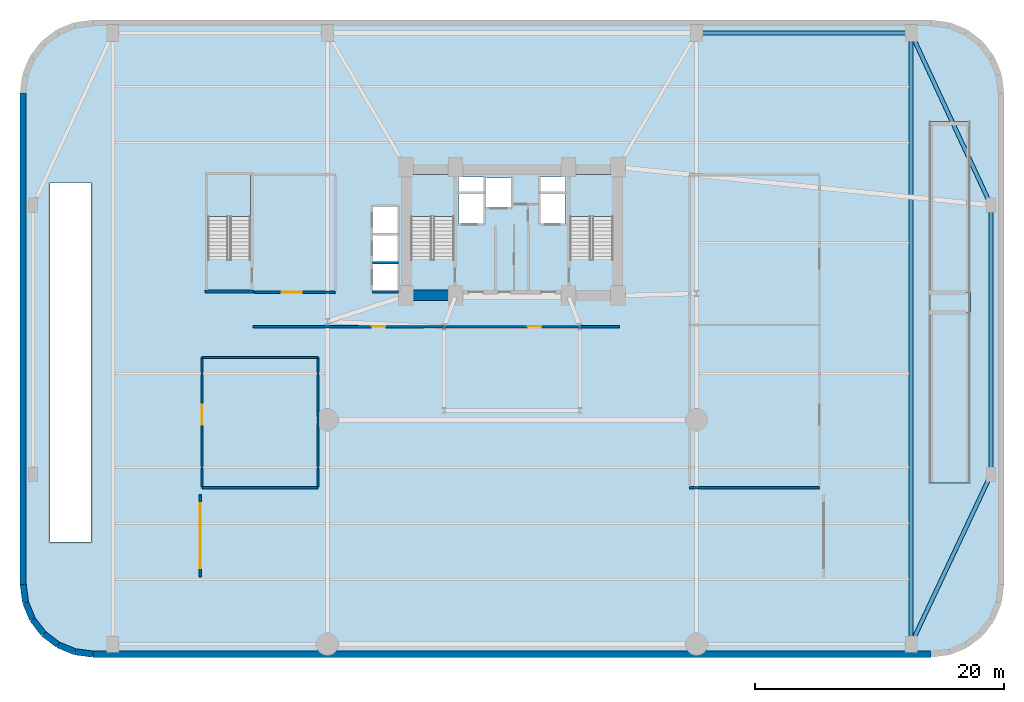
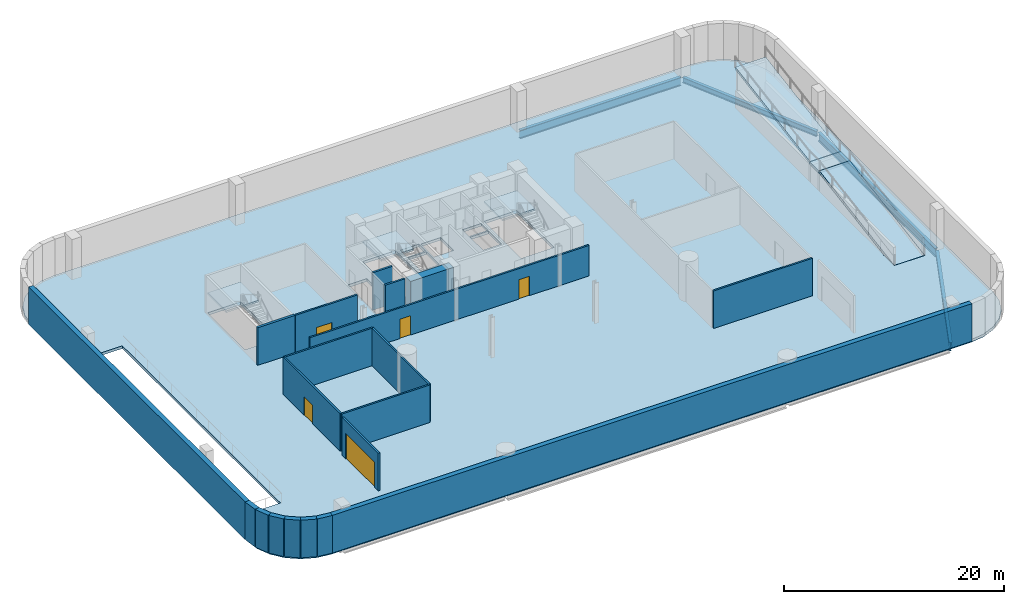
# One storey, part 2 of 8: 20 walls, 7 slabs, 5 beams, 5 doors, 5 openings, 3 elements without a shape of their own.
"""IFC4 building model written with IfcOpenShell, lengths in metres."""

from ifc_helpers import new_model, si_unit, direction, frame, frame_2d, origin, origin_2d, place, context, subcontext, project, spatial, polyline, rectangle, i_section, outline, extrude, material, layer, layer_set, material_profile, profile_set, type_object, element, fill, aggregate, save


model = new_model("IFC4")

# Units and contexts
model_context = context("Model", 3, precision=1e-05, world=origin(), true_north=direction((0.0, 1.0)))
body_context = subcontext(model_context, "Body", "Model", "MODEL_VIEW")
ifc_project = project(units=[si_unit("LENGTHUNIT", "METRE"), si_unit("AREAUNIT", "SQUARE_METRE"), si_unit("VOLUMEUNIT", "CUBIC_METRE"), si_unit("PLANEANGLEUNIT", "RADIAN"), si_unit("MASSUNIT", "GRAM", prefix="KILO")], contexts=[model_context])

# Site, building, storey
site_placement = place(None, origin())
site = spatial("IfcSite", under=ifc_project, at=site_placement, CompositionType="ELEMENT")
building_placement = place(site_placement, origin())
building = spatial("IfcBuilding", under=site, at=building_placement, Name="Varnelok Gate Tower", CompositionType="ELEMENT")
storey_placement = place(building_placement, frame((0.0, 0.0, -4.5)))
storey = spatial("IfcBuildingStorey", under=building, at=storey_placement, Name="B01", CompositionType="ELEMENT", Elevation=-4.5)

# Beams
ifc_material_1 = material(Name="Structural Steel ASTM A992 Grade 50", Category="steel")
ifc_material_profile_1 = material_profile(ifc_material_1, i_section(OverallWidth=0.30810546875, OverallDepth=0.943115234375, WebThickness=0.022216796875, FlangeThickness=0.039794921875, FilletRadius=0.02587890625, at=origin_2d()), Name="W36X232")
ifc_profile_set_1 = profile_set([ifc_material_profile_1], Name="Structural Steel ASTM A992 Grade 50")
beam_type_1 = type_object("IfcBeamType", Name="BM-PRI-W36X232", PredefinedType="BEAM", material=ifc_profile_set_1)
beam_1_placement = place(storey_placement, frame((54.139892578125, 49.800048828125, -0.771484375), z_axis=(1.0, 0.0, 0.0), x_axis=(0.0, 1.0, 0.0)))
element("IfcBeam", 1, at=beam_1_placement, inside=storey, type_object=beam_type_1, Name="B01 Podium Primary Girder 5", PredefinedType="BEAM", context=body_context, shape_type="SweptSolid", body=[
    extrude(i_section(OverallWidth=0.30810546875, OverallDepth=0.943115234375, WebThickness=0.022216796875, FlangeThickness=0.039794921875, FilletRadius=0.02587890625, at=origin_2d()), origin(), (0.0, 0.0, 1.0), 16.920166015625),
])
beam_2_placement = place(storey_placement, frame((77.60009765625, 14.5400390625, -0.771484375), z_axis=(0.0, 1.0, 0.0), x_axis=(-1.0, 0.0, 0.0)))
element("IfcBeam", 2, at=beam_2_placement, inside=storey, type_object=beam_type_1, Name="B01 Podium Primary Girder 7", PredefinedType="BEAM", context=body_context, shape_type="SweptSolid", body=[
    extrude(i_section(OverallWidth=0.30810546875, OverallDepth=0.943115234375, WebThickness=0.022216796875, FlangeThickness=0.039794921875, FilletRadius=0.02587890625, at=origin_2d()), origin(), (0.0, 0.0, 1.0), 21.320068359375),
])
beam_3_placement = place(storey_placement, frame((71.199951171875, 0.93994140625, -0.771484375), z_axis=(0.0, 1.0, 0.0), x_axis=(-1.0, 0.0, 0.0)))
element("IfcBeam", 3, at=beam_3_placement, inside=storey, type_object=beam_type_1, Name="B01 Podium Primary Girder 15", PredefinedType="BEAM", context=body_context, shape_type="SweptSolid", body=[
    extrude(i_section(OverallWidth=0.30810546875, OverallDepth=0.943115234375, WebThickness=0.022216796875, FlangeThickness=0.039794921875, FilletRadius=0.02587890625, at=origin_2d()), origin(), (0.0, 0.0, 1.0), 48.719970703125),
])
ifc_material_profile_2 = material_profile(ifc_material_1, i_section(OverallWidth=0.323974609375, OverallDepth=0.611083984375, WebThickness=0.0126953125, FlangeThickness=0.01904296875, FilletRadius=0.01806640625, at=origin_2d()), Name="W24X104")
ifc_profile_set_2 = profile_set([ifc_material_profile_2], Name="Structural Steel ASTM A992 Grade 50")
beam_type_2 = type_object("IfcBeamType", Name="BM-SPN-W24X104", PredefinedType="SPANDREL", material=ifc_profile_set_2)
beam_4_placement = place(storey_placement, frame((71.259521484375, 0.9267578125, -0.60546875), z_axis=(0.425801818887, 0.90481645157, 0.0), x_axis=(-0.90481645157, 0.425801818887, 0.0)))
element("IfcBeam", 4, at=beam_4_placement, inside=storey, type_object=beam_type_2, Name="B01 Podium Primary Girder 10", PredefinedType="SPANDREL", context=body_context, shape_type="SweptSolid", body=[
    extrude(i_section(OverallWidth=0.323974609375, OverallDepth=0.611083984375, WebThickness=0.0126953125, FlangeThickness=0.01904296875, FilletRadius=0.01806640625, at=origin_2d()), origin(), (0.0, 0.0, 1.0), 14.75048828125),
])
beam_5_placement = place(storey_placement, frame((77.541015625, 36.126953125, -0.60546875), z_axis=(-0.420722638096, 0.907189319709, 0.0), x_axis=(-0.907189319709, -0.420722638096, 0.0)))
element("IfcBeam", 5, at=beam_5_placement, inside=storey, type_object=beam_type_2, Name="B01 Podium Primary Girder 11", PredefinedType="SPANDREL", context=body_context, shape_type="SweptSolid", body=[
    extrude(i_section(OverallWidth=0.323974609375, OverallDepth=0.611083984375, WebThickness=0.0126953125, FlangeThickness=0.01904296875, FilletRadius=0.01806640625, at=origin_2d()), origin(), (0.0, 0.0, 1.0), 14.931884765625),
])

# Slab
ifc_material_2 = material(Name="Concrete C50/60", Category="concrete")
ifc_layer_1 = layer(ifc_material_2, 0.300048828125)
ifc_layer_set_1 = layer_set([ifc_layer_1], Name="Concrete C50/60")
slab_type_1 = type_object("IfcSlabType", Name="SLB-FLR-300", PredefinedType="FLOOR", material=ifc_layer_set_1)
slab_1_placement = place(storey_placement, frame((0.0, 0.0, -0.300048828125)))
element("IfcSlab", 6, at=slab_1_placement, inside=storey, type_object=slab_type_1, Name="B01 Structural Floor Slab", PredefinedType="FLOOR", context=body_context, shape_type="SweptSolid", body=[
    extrude(outline(polyline([(0.0, 5.60009765625), (0.19091796875, 4.150634765625), (0.750244140625, 2.800048828125), (1.64013671875, 1.64013671875), (2.800048828125, 0.750244140625), (4.150634765625, 0.19091796875), (5.60009765625, 0.0), (72.800048828125, 0.0), (74.24951171875, 0.19091796875), (75.60009765625, 0.750244140625), (76.759765625, 1.64013671875), (77.649658203125, 2.800048828125), (78.209228515625, 4.150634765625), (78.39990234375, 5.60009765625), (78.39990234375, 45.0), (78.209228515625, 46.449462890625), (77.649658203125, 47.800048828125), (76.759765625, 48.959716796875), (75.60009765625, 49.849609375), (74.24951171875, 50.4091796875), (72.800048828125, 50.60009765625), (5.60009765625, 50.60009765625), (4.150634765625, 50.4091796875), (2.800048828125, 49.849609375), (1.64013671875, 48.959716796875), (0.750244140625, 47.800048828125), (0.19091796875, 46.449462890625), (0.0, 45.0), (0.0, 5.60009765625)]), holes=[polyline([(34.550048828125, 31.679931640625), (34.550048828125, 38.449951171875), (31.10009765625, 38.449951171875), (31.10009765625, 31.679931640625), (34.550048828125, 31.679931640625)]), polyline([(47.300048828125, 31.679931640625), (47.300048828125, 38.449951171875), (43.85009765625, 38.449951171875), (43.85009765625, 31.679931640625), (47.300048828125, 31.679931640625)]), polyline([(18.25, 31.679931640625), (18.25, 38.449951171875), (14.800048828125, 38.449951171875), (14.800048828125, 31.679931640625), (18.25, 31.679931640625)]), polyline([(34.949951171875, 34.550048828125), (36.89990234375, 34.550048828125), (36.89990234375, 36.89990234375), (34.949951171875, 36.89990234375), (34.949951171875, 34.550048828125)]), polyline([(41.5, 34.550048828125), (43.449951171875, 34.550048828125), (43.449951171875, 36.89990234375), (41.5, 36.89990234375), (41.5, 34.550048828125)]), polyline([(37.050048828125, 35.85009765625), (39.14990234375, 35.85009765625), (39.14990234375, 38.199951171875), (37.050048828125, 38.199951171875), (37.050048828125, 35.85009765625)]), polyline([(28.050048828125, 29.14990234375), (30.050048828125, 29.14990234375), (30.050048828125, 35.89990234375), (28.050048828125, 35.89990234375), (28.050048828125, 29.14990234375)]), polyline([(34.919921875, 37.080078125), (36.89990234375, 37.080078125), (36.89990234375, 38.280029296875), (34.919921875, 38.280029296875), (34.919921875, 37.080078125)]), polyline([(41.5, 37.080078125), (43.47998046875, 37.080078125), (43.47998046875, 38.280029296875), (41.5, 38.280029296875), (41.5, 37.080078125)]), polyline([(2.14990234375, 9.0), (5.449951171875, 9.0), (5.449951171875, 37.800048828125), (2.14990234375, 37.800048828125), (2.14990234375, 9.0)]), polyline([(72.679931640625, 13.699951171875), (75.919921875, 13.699951171875), (75.919921875, 15.60009765625), (72.679931640625, 15.60009765625), (72.679931640625, 13.699951171875)])]), origin(), (0.0, 0.0, 1.0), 0.300048828125),
])

# Stair, slab
stair_type = type_object("IfcStairType", Name="STR-CORE-1650", PredefinedType="HALF_TURN_STAIR", material=ifc_material_2)
stair_1_placement = place(storey_placement, origin())
stair_1 = element("IfcStair", 7, at=stair_1_placement, inside=storey, type_object=stair_type, Name="B01 Exit Stair ST-1", PredefinedType="HALF_TURN_STAIR")
ifc_material_3 = material(Name="Concrete C45/55", Category="concrete")
ifc_layer_2 = layer(ifc_material_3, 0.199951171875)
ifc_layer_set_2 = layer_set([ifc_layer_2], Name="Concrete C45/55")
slab_type_2 = type_object("IfcSlabType", Name="SLB-LAND-200", PredefinedType="LANDING", material=ifc_layer_set_2)
slab_2_placement = place(storey_placement, frame((0.0, 0.0, 2.050048828125)))
slab_2 = element("IfcSlab", 8, at=slab_2_placement, type_object=slab_type_2, Name="ST-1 landing 1", PredefinedType="LANDING", context=body_context, shape_type="SweptSolid", body=[
    extrude(outline(polyline([(34.550048828125, 35.080078125), (34.550048828125, 38.449951171875), (31.10009765625, 38.449951171875), (31.10009765625, 35.080078125), (34.550048828125, 35.080078125)])), origin(), (0.0, 0.0, 1.0), 0.199951171875),
])
aggregate(stair_1, [slab_2])

stair_2_placement = place(storey_placement, origin())
stair_2 = element("IfcStair", 9, at=stair_2_placement, inside=storey, type_object=stair_type, Name="B01 Exit Stair ST-2", PredefinedType="HALF_TURN_STAIR")
slab_3_placement = place(storey_placement, frame((0.0, 0.0, 2.050048828125)))
slab_3 = element("IfcSlab", 10, at=slab_3_placement, type_object=slab_type_2, Name="ST-2 landing 1", PredefinedType="LANDING", context=body_context, shape_type="SweptSolid", body=[
    extrude(outline(polyline([(47.300048828125, 35.080078125), (47.300048828125, 38.449951171875), (43.85009765625, 38.449951171875), (43.85009765625, 35.080078125), (47.300048828125, 35.080078125)])), origin(), (0.0, 0.0, 1.0), 0.199951171875),
])
aggregate(stair_2, [slab_3])

stair_3_placement = place(storey_placement, origin())
stair_3 = element("IfcStair", 11, at=stair_3_placement, inside=storey, type_object=stair_type, Name="B01 Podium Exit Stair ST-3", PredefinedType="HALF_TURN_STAIR")
slab_4_placement = place(storey_placement, frame((0.0, 0.0, 2.050048828125)))
slab_4 = element("IfcSlab", 12, at=slab_4_placement, type_object=slab_type_2, Name="ST-3 landing 1", PredefinedType="LANDING", context=body_context, shape_type="SweptSolid", body=[
    extrude(outline(polyline([(18.25, 35.080078125), (18.25, 38.449951171875), (14.800048828125, 38.449951171875), (14.800048828125, 35.080078125), (18.25, 35.080078125)])), origin(), (0.0, 0.0, 1.0), 0.199951171875),
])
aggregate(stair_3, [slab_4])

# Slabs
ifc_layer_3 = layer(ifc_material_2, 0.300048828125)
ifc_layer_set_3 = layer_set([ifc_layer_3], Name="Concrete C50/60")
slab_type_3 = type_object("IfcSlabType", Name="SLB-VRAMP-300", PredefinedType="LANDING", material=ifc_layer_set_3)
slab_5_placement = place(storey_placement, frame((72.699951171875, 13.719970703125, 0.0), z_axis=(0.0, -0.162871298595, 0.986647323056), x_axis=(1.0, 0.0, 0.0)))
element("IfcSlab", 13, at=slab_5_placement, inside=storey, type_object=slab_type_3, Name="Car Park Vehicle Ramp VR-2 Lower Slab", PredefinedType="LANDING", context=body_context, shape_type="SweptSolid", body=[
    extrude(outline(polyline([(0.0, 0.0), (3.199951171875, 0.0), (3.199951171875, 13.814588693055779), (0.0, 13.814588693055779), (0.0, 0.0)])), origin(), (0.0, 0.0, -1.0), 0.300048828125),
])
slab_6_placement = place(storey_placement, frame((0.0, 0.0, 1.949951171875)))
element("IfcSlab", 14, at=slab_6_placement, inside=storey, type_object=slab_type_3, Name="Car Park Vehicle Ramp VR-2 Mid-Landing Slab", PredefinedType="LANDING", context=body_context, shape_type="SweptSolid", body=[
    extrude(outline(polyline([(72.64990234375, 27.3798828125), (75.949951171875, 27.3798828125), (75.949951171875, 29.02001953125), (72.64990234375, 29.02001953125), (72.64990234375, 27.3798828125)])), origin(), (0.0, 0.0, 1.0), 0.300048828125),
])
slab_7_placement = place(storey_placement, frame((72.699951171875, 29.050048828125, 2.25), z_axis=(0.0, -0.162874138581, 0.98664685424), x_axis=(1.0, 0.0, 0.0)))
element("IfcSlab", 15, at=slab_7_placement, inside=storey, type_object=slab_type_3, Name="Car Park Vehicle Ramp VR-2 Upper Slab", PredefinedType="LANDING", context=body_context, shape_type="SweptSolid", body=[
    extrude(outline(polyline([(0.0, 0.0), (3.199951171875, 0.0), (3.199951171875, 13.814347812418902), (0.0, 13.814347812418902), (0.0, 0.0)])), origin(), (0.0, 0.0, -1.0), 0.300048828125),
])

# Wall, openings, doors
ifc_material_4 = material(Name="Gypsum Plasterboard Acoustic Partition", Category="gypsum")
ifc_layer_4 = layer(ifc_material_4, 0.179931640625)
ifc_layer_set_4 = layer_set([ifc_layer_4], Name="Gypsum Plasterboard Acoustic Partition")
wall_type_1 = type_object("IfcWallType", Name="PW-CORR-180", PredefinedType="PARTITIONING", material=ifc_layer_set_4)
wall_1_placement = place(storey_placement, frame((18.449951171875, 26.260009765625, 0.0), z_axis=(0.0, 0.0, 1.0), x_axis=(1.0, 0.0, 0.0)))
wall_1 = element("IfcWall", 16, at=wall_1_placement, inside=storey, type_object=wall_type_1, Name="B01 Core Vestibule Wall", PredefinedType="PARTITIONING", context=body_context, shape_type="SweptSolid", body=[
    extrude(rectangle(XDim=29.35009765625, YDim=0.179931640625, at=frame_2d((14.675048828125, 0.0))), origin(), (0.0, 0.0, 1.0), 3.39208984375),
])
opening_1_placement = place(wall_1_placement, frame((9.5, 0.0, 0.0)))
opening_1 = element("IfcOpeningElement", 17, at=opening_1_placement, cuts=wall_1, Name="Opening D-FF", PredefinedType="OPENING", context=body_context, shape_type="SweptSolid", body=[
    extrude(rectangle(XDim=1.10009765625, YDim=2.14990234375, at=frame_2d((0.550048828125, 1.074951171875))), frame((0.0, 0.099853515625, 0.0), z_axis=(0.0, -1.0, 0.0), x_axis=(1.0, 0.0, 0.0)), (0.0, 0.0, 1.0), 0.199951171875),
])
opening_2_placement = place(wall_1_placement, frame((22.0, 0.0, 0.0)))
opening_2 = element("IfcOpeningElement", 18, at=opening_2_placement, cuts=wall_1, Name="Opening D-FF", PredefinedType="OPENING", context=body_context, shape_type="SweptSolid", body=[
    extrude(rectangle(XDim=1.10009765625, YDim=2.14990234375, at=frame_2d((0.550048828125, 1.074951171875))), frame((0.0, 0.099853515625, 0.0), z_axis=(0.0, -1.0, 0.0), x_axis=(1.0, 0.0, 0.0)), (0.0, 0.0, 1.0), 0.199951171875),
])
ifc_material_5 = material(Name="Galvanized Steel Grade S350GD", Category="steel")
door_type_1 = type_object("IfcDoorType", Name="DR-FFLOB-1100", OperationType="NOTDEFINED", PredefinedType="DOOR", material=ifc_material_5)
door_1_placement = place(opening_1_placement, origin())
door_1 = element("IfcDoor", 19, at=door_1_placement, inside=storey, type_object=door_type_1, Name="B01 Car Park Vestibule Door 1", OperationType="SINGLE_SWING_RIGHT", OverallHeight=2.14990234375, OverallWidth=1.10009765625, PredefinedType="DOOR", context=body_context, shape_type="SweptSolid", body=[
    extrude(rectangle(XDim=1.10009765625, YDim=2.14990234375, at=frame_2d((0.550048828125, 1.074951171875))), frame((0.0, 0.02490234375, 0.0), z_axis=(0.0, -1.0, 0.0), x_axis=(1.0, 0.0, 0.0)), (0.0, 0.0, 1.0), 0.050048828125),
])
fill(opening_1, door_1)
door_2_placement = place(opening_2_placement, origin())
door_2 = element("IfcDoor", 20, at=door_2_placement, inside=storey, type_object=door_type_1, Name="B01 Car Park Vestibule Door 2", OperationType="SINGLE_SWING_LEFT", OverallHeight=2.14990234375, OverallWidth=1.10009765625, PredefinedType="DOOR", context=body_context, shape_type="SweptSolid", body=[
    extrude(rectangle(XDim=1.10009765625, YDim=2.14990234375, at=frame_2d((0.550048828125, 1.074951171875))), frame((0.0, 0.02490234375, 0.0), z_axis=(0.0, -1.0, 0.0), x_axis=(1.0, 0.0, 0.0)), (0.0, 0.0, 1.0), 0.050048828125),
])
fill(opening_2, door_2)

# Wall, opening, door
wall_2_placement = place(storey_placement, frame((14.35009765625, 13.39990234375, 0.0), z_axis=(0.0, 0.0, 1.0), x_axis=(0.0, 1.0, 0.0)))
wall_2 = element("IfcWall", 21, at=wall_2_placement, inside=storey, type_object=wall_type_1, Name="Interior Partition", PredefinedType="PARTITIONING", context=body_context, shape_type="SweptSolid", body=[
    extrude(rectangle(XDim=10.380126953125, YDim=0.179931640625, at=frame_2d((5.18994140625, 0.0))), origin(), (0.0, 0.0, 1.0), 4.179931640625),
])
opening_3_placement = place(wall_2_placement, frame((5.0, 0.0, 0.0)))
opening_3 = element("IfcOpeningElement", 22, at=opening_3_placement, cuts=wall_2, Name="Opening D-PL", PredefinedType="OPENING", context=body_context, shape_type="SweptSolid", body=[
    extrude(rectangle(XDim=1.60009765625, YDim=2.050048828125, at=frame_2d((0.800048828125, 1.02490234375))), frame((0.0, 0.099853515625, 0.0), z_axis=(0.0, -1.0, 0.0), x_axis=(1.0, 0.0, 0.0)), (0.0, 0.0, 1.0), 0.199951171875),
])
door_type_2 = type_object("IfcDoorType", Name="DR-PLANT-1600", OperationType="DOUBLE_DOOR_SINGLE_SWING", PredefinedType="DOOR", material=ifc_material_5)
door_3_placement = place(opening_3_placement, origin())
door_3 = element("IfcDoor", 23, at=door_3_placement, inside=storey, type_object=door_type_2, Name="B01 Bicycle Storage Door", OperationType="DOUBLE_DOOR_SINGLE_SWING", OverallHeight=2.050048828125, OverallWidth=1.60009765625, PredefinedType="DOOR", context=body_context, shape_type="SweptSolid", body=[
    extrude(rectangle(XDim=1.60009765625, YDim=2.050048828125, at=frame_2d((0.800048828125, 1.02490234375))), frame((0.0, 0.02490234375, 0.0), z_axis=(0.0, -1.0, 0.0), x_axis=(1.0, 0.0, 0.0)), (0.0, 0.0, 1.0), 0.050048828125),
])
fill(opening_3, door_3)

# Walls
wall_3_placement = place(storey_placement, frame((23.64990234375, 13.39990234375, 0.0), z_axis=(0.0, 0.0, 1.0), x_axis=(0.0, 1.0, 0.0)))
element("IfcWall", 24, at=wall_3_placement, inside=storey, type_object=wall_type_1, Name="Interior Partition", PredefinedType="PARTITIONING", context=body_context, shape_type="SweptSolid", body=[
    extrude(rectangle(XDim=10.380126953125, YDim=0.179931640625, at=frame_2d((5.18994140625, 0.0))), origin(), (0.0, 0.0, 1.0), 4.179931640625),
])
for number, where, z_axis, x_axis, name in (
    (25, (14.35009765625, 13.35009765625, 0.0), (0.0, 0.0, 1.0), (1.0, 0.0, 0.0), "Interior Partition"),
    (26, (14.35009765625, 23.780029296875, 0.0), (0.0, 0.0, 1.0), (1.0, 0.0, 0.0), "Interior Partition"),
):
    element("IfcWall", number, at=place(storey_placement, frame(where, z_axis=z_axis, x_axis=x_axis)), inside=storey, type_object=wall_type_1, Name=name, PredefinedType="PARTITIONING", context=body_context, shape_type="SweptSolid", body=[
        extrude(rectangle(XDim=9.2998046875, YDim=0.179931640625, at=frame_2d((4.64990234375, 0.0))), origin(), (0.0, 0.0, 1.0), 4.179931640625),
    ])

# Wall, opening, door
wall_4_placement = place(storey_placement, frame((18.550048828125, 29.02001953125, 0.0), z_axis=(0.0, 0.0, 1.0), x_axis=(1.0, 0.0, 0.0)))
wall_4 = element("IfcWall", 27, at=wall_4_placement, inside=storey, type_object=wall_type_1, Name="Interior Partition", PredefinedType="PARTITIONING", context=body_context, shape_type="SweptSolid", body=[
    extrude(rectangle(XDim=6.5, YDim=0.179931640625, at=frame_2d((3.25, 0.0))), origin(), (0.0, 0.0, 1.0), 4.179931640625),
])
opening_4_placement = place(wall_4_placement, frame((2.199951171875, 0.0, 0.0)))
opening_4 = element("IfcOpeningElement", 28, at=opening_4_placement, cuts=wall_4, Name="Opening D-PL", PredefinedType="OPENING", context=body_context, shape_type="SweptSolid", body=[
    extrude(rectangle(XDim=1.60009765625, YDim=2.050048828125, at=frame_2d((0.800048828125, 1.02490234375))), frame((0.0, 0.099853515625, 0.0), z_axis=(0.0, -1.0, 0.0), x_axis=(1.0, 0.0, 0.0)), (0.0, 0.0, 1.0), 0.199951171875),
])
door_4_placement = place(opening_4_placement, origin())
door_4 = element("IfcDoor", 29, at=door_4_placement, inside=storey, type_object=door_type_2, Name="B01 Refuse Room Door", OperationType="DOUBLE_DOOR_SINGLE_SWING", OverallHeight=2.050048828125, OverallWidth=1.60009765625, PredefinedType="DOOR", context=body_context, shape_type="SweptSolid", body=[
    extrude(rectangle(XDim=1.60009765625, YDim=2.050048828125, at=frame_2d((0.800048828125, 1.02490234375))), frame((0.0, 0.02490234375, 0.0), z_axis=(0.0, -1.0, 0.0), x_axis=(1.0, 0.0, 0.0)), (0.0, 0.0, 1.0), 0.050048828125),
])
fill(opening_4, door_4)

# Wall
wall_5_placement = place(storey_placement, frame((53.449951171875, 13.35009765625, 0.0), z_axis=(0.0, 0.0, 1.0), x_axis=(1.0, 0.0, 0.0)))
element("IfcWall", 30, at=wall_5_placement, inside=storey, type_object=wall_type_1, Name="Interior Partition", PredefinedType="PARTITIONING", context=body_context, shape_type="SweptSolid", body=[
    extrude(rectangle(XDim=10.400146484375, YDim=0.179931640625, at=frame_2d((5.2001953125, 0.0))), origin(), (0.0, 0.0, 1.0), 4.179931640625),
])

# Wall, opening, door
ifc_material_6 = material(Name="Concrete C35/45", Category="concrete")
ifc_layer_5 = layer(ifc_material_6, 0.199951171875)
ifc_layer_set_5 = layer_set([ifc_layer_5], Name="Concrete C35/45")
wall_type_2 = type_object("IfcWallType", Name="PW-SHAFT-200", PredefinedType="PARTITIONING", material=ifc_layer_set_5)
wall_6_placement = place(storey_placement, frame((14.199951171875, 6.199951171875, 0.0), z_axis=(0.0, 0.0, 1.0), x_axis=(0.0, 1.0, 0.0)))
wall_6 = element("IfcWall", 31, at=wall_6_placement, inside=storey, type_object=wall_type_2, Name="B01 Car Park Fire Zone Barrier 1", PredefinedType="PARTITIONING", context=body_context, shape_type="SweptSolid", body=[
    extrude(rectangle(XDim=6.60009765625, YDim=0.199951171875, at=frame_2d((3.300048828125, 0.0))), origin(), (0.0, 0.0, 1.0), 4.179931640625),
])
opening_5_placement = place(wall_6_placement, frame((0.699951171875, 0.0, 0.0)))
opening_5 = element("IfcOpeningElement", 32, at=opening_5_placement, cuts=wall_6, Name="Opening VG-4", PredefinedType="OPENING", context=body_context, shape_type="SweptSolid", body=[
    extrude(rectangle(XDim=5.199951171875, YDim=2.800048828125, at=frame_2d((2.60009765625, 1.39990234375))), frame((0.0, 0.10986328125, 0.0), z_axis=(0.0, -1.0, 0.0), x_axis=(1.0, 0.0, 0.0)), (0.0, 0.0, 1.0), 0.219970703125),
])
door_type_3 = type_object("IfcDoorType", Name="DR-GATE-5200", OperationType="SLIDING_TO_LEFT", PredefinedType="GATE", material=ifc_material_5)
door_5_placement = place(opening_5_placement, origin())
door_5 = element("IfcDoor", 33, at=door_5_placement, inside=storey, type_object=door_type_3, Name="B01 Car Park Fire Zone Gate", OperationType="SLIDING_TO_LEFT", OverallHeight=2.800048828125, OverallWidth=5.199951171875, PredefinedType="GATE", context=body_context, shape_type="SweptSolid", body=[
    extrude(rectangle(XDim=5.199951171875, YDim=2.800048828125, at=frame_2d((2.60009765625, 1.39990234375))), frame((0.0, 0.02490234375, 0.0), z_axis=(0.0, -1.0, 0.0), x_axis=(1.0, 0.0, 0.0)), (0.0, 0.0, 1.0), 0.050048828125),
])
fill(opening_5, door_5)

# Walls
wall_7_placement = place(storey_placement, frame((28.02001953125, 31.375, 0.0), z_axis=(0.0, 0.0, 1.0), x_axis=(1.0, 0.0, 0.0)))
element("IfcWall", 34, at=wall_7_placement, inside=storey, type_object=wall_type_2, Name="B01 PL1 Divider", PredefinedType="PARTITIONING", context=body_context, shape_type="SweptSolid", body=[
    extrude(rectangle(XDim=2.06005859375, YDim=0.199951171875, at=frame_2d((1.030029296875, 0.0))), origin(), (0.0, 0.0, 1.0), 4.179931640625),
])
wall_8_placement = place(storey_placement, frame((28.0, 29.080078125, 0.0), z_axis=(0.0, 0.0, 1.0), x_axis=(1.0, 0.0, 0.0)))
element("IfcWall", 35, at=wall_8_placement, inside=storey, type_object=wall_type_2, Name="B01 PL Bank South Wall", PredefinedType="PARTITIONING", context=body_context, shape_type="SweptSolid", body=[
    extrude(rectangle(XDim=2.10009765625, YDim=0.199951171875, at=frame_2d((1.050048828125, 0.0))), origin(), (0.0, 0.0, 1.0), 4.179931640625),
])
ifc_material_7 = material(Name="Concrete C70/85", Category="concrete")
ifc_layer_6 = layer(ifc_material_7, 0.85009765625)
ifc_layer_set_6 = layer_set([ifc_layer_6], Name="Concrete C70/85")
wall_type_3 = type_object("IfcWallType", Name="SW-CORE-850", PredefinedType="SHEAR", material=ifc_layer_set_6)
wall_9_placement = place(storey_placement, frame((30.280029296875, 28.77490234375, 0.0), z_axis=(0.0, 0.0, 1.0), x_axis=(1.0, 0.0, 0.0)))
element("IfcWall", 36, at=wall_9_placement, inside=storey, type_object=wall_type_3, Name="B01 Rear Core South-West Shear Wall", PredefinedType="SHEAR", context=body_context, shape_type="SweptSolid", body=[
    extrude(rectangle(XDim=4.52001953125, YDim=0.85009765625, at=frame_2d((2.260009765625, 0.0))), origin(), (0.0, 0.0, 1.0), 4.179931640625),
])
ifc_layer_7 = layer(ifc_material_2, 0.5)
ifc_layer_set_7 = layer_set([ifc_layer_7], Name="Concrete C50/60")
wall_type_4 = type_object("IfcWallType", Name="SW-RET-500", PredefinedType="SOLIDWALL", material=ifc_layer_set_7)
wall_10_placement = place(storey_placement, frame((0.0, 5.60009765625, 0.0), z_axis=(0.0, 0.0, 1.0), x_axis=(0.0, 1.0, 0.0)))
element("IfcWall", 37, at=wall_10_placement, inside=storey, type_object=wall_type_4, Name="B01 Perimeter Retaining Wall 1", PredefinedType="SOLIDWALL", context=body_context, shape_type="SweptSolid", body=[
    extrude(rectangle(XDim=39.39990234375, YDim=0.5, at=frame_2d((19.699951171875, 0.0))), origin(), (0.0, 0.0, 1.0), 4.179931640625),
])
for number, where, z_axis, x_axis, name in (
    (38, (0.19091796875, 4.150634765625, 0.0), (0.0, 0.0, 1.0), (-0.130588423975, 0.991436666421, 0.0), "B01 Perimeter Retaining Wall 2"),
    (39, (0.750244140625, 2.800048828125, 0.0), (0.0, 0.0, 1.0), (-0.382622215492, 0.923904886994, 0.0), "B01 Perimeter Retaining Wall 3"),
    (40, (1.64013671875, 1.64013671875, 0.0), (0.0, 0.0, 1.0), (-0.608701460465, 0.793399352173, 0.0), "B01 Perimeter Retaining Wall 4"),
    (41, (2.800048828125, 0.750244140625, 0.0), (0.0, 0.0, 1.0), (-0.793399352173, 0.608701460465, 0.0), "B01 Perimeter Retaining Wall 5"),
    (42, (4.150634765625, 0.19091796875, 0.0), (0.0, 0.0, 1.0), (-0.923904886994, 0.382622215492, 0.0), "B01 Perimeter Retaining Wall 6"),
    (43, (5.60009765625, 0.0, 0.0), (0.0, 0.0, 1.0), (-0.991436666421, 0.130588423975, 0.0), "B01 Perimeter Retaining Wall 7"),
):
    element("IfcWall", number, at=place(storey_placement, frame(where, z_axis=z_axis, x_axis=x_axis)), inside=storey, type_object=wall_type_4, Name=name, PredefinedType="SOLIDWALL", context=body_context, shape_type="SweptSolid", body=[
        extrude(rectangle(XDim=1.4619140625, YDim=0.5, at=frame_2d((0.73095703125, 0.0))), origin(), (0.0, 0.0, 1.0), 4.179931640625),
    ])
wall_11_placement = place(storey_placement, frame((72.800048828125, 0.0, 0.0), z_axis=(0.0, 0.0, 1.0), x_axis=(-1.0, 0.0, 0.0)))
element("IfcWall", 44, at=wall_11_placement, inside=storey, type_object=wall_type_4, Name="B01 Perimeter Retaining Wall 8", PredefinedType="SOLIDWALL", context=body_context, shape_type="SweptSolid", body=[
    extrude(rectangle(XDim=67.199951171875, YDim=0.5, at=frame_2d((33.60009765625, 0.0))), origin(), (0.0, 0.0, 1.0), 4.179931640625),
])
ifc_material_8 = material(Name="Concrete C60/75", Category="concrete")
ifc_layer_8 = layer(ifc_material_8, 0.25)
ifc_layer_set_8 = layer_set([ifc_layer_8], Name="Concrete C60/75")
wall_type_5 = type_object("IfcWallType", Name="SW-SHAFT-250", PredefinedType="SHEAR", material=ifc_layer_set_8)
wall_12_placement = place(storey_placement, frame((14.580078125, 29.074951171875, 0.0), z_axis=(0.0, 0.0, 1.0), x_axis=(1.0, 0.0, 0.0)))
element("IfcWall", 45, at=wall_12_placement, inside=storey, type_object=wall_type_5, Name="B01 Stair ST-3 South Shear Wall", PredefinedType="SHEAR", context=body_context, shape_type="SweptSolid", body=[
    extrude(rectangle(XDim=3.889892578125, YDim=0.25, at=frame_2d((1.94482421875, 0.0))), origin(), (0.0, 0.0, 1.0), 4.179931640625),
])

save(model, "model.ifc")
